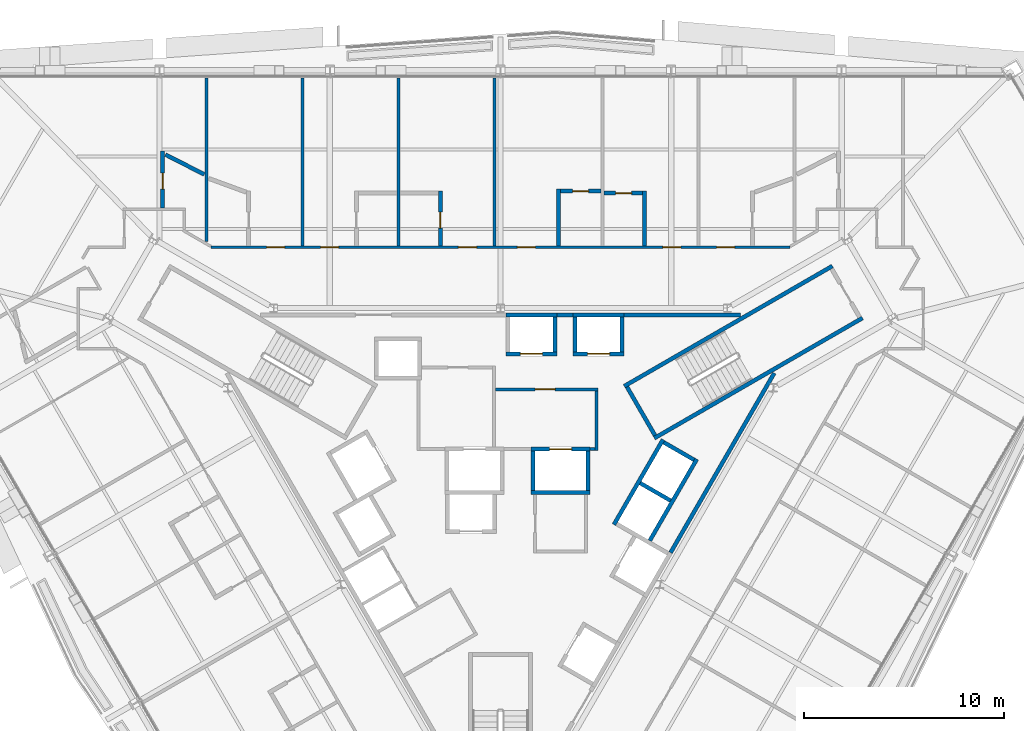
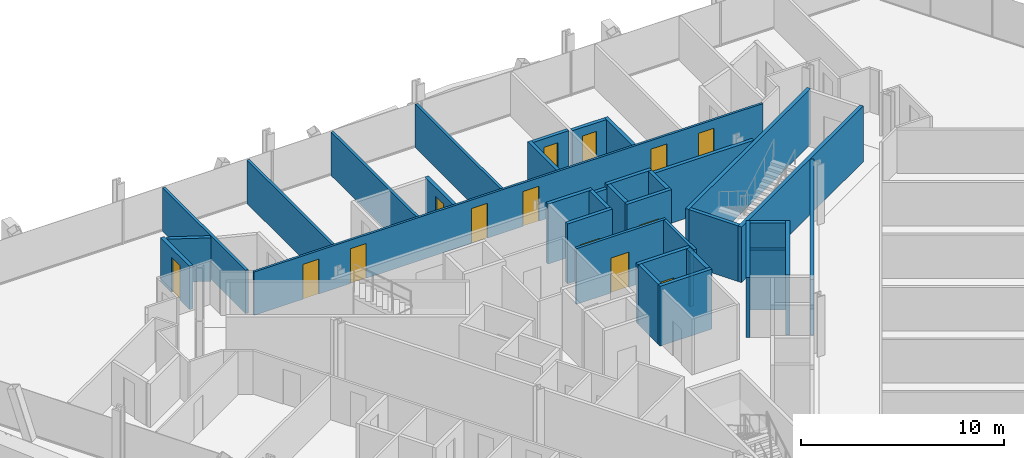
# One storey, part 14 of 17: 36 walls, 14 doors, 14 openings.
"""IFC4 building model written with IfcOpenShell, lengths in metres."""

from ifc_helpers import new_model, si_unit, direction, frame, frame_2d, origin, place, context, subcontext, project, spatial, rectangle, extrude, material, layer, layer_set, type_object, element, fill, save


model = new_model("IFC4")

# Units and contexts
model_context = context("Model", 3, precision=1e-05, world=origin(), true_north=direction((0.0, 1.0)))
body_context = subcontext(model_context, "Body", "Model", "MODEL_VIEW")
ifc_project = project(units=[si_unit("LENGTHUNIT", "METRE"), si_unit("AREAUNIT", "SQUARE_METRE"), si_unit("VOLUMEUNIT", "CUBIC_METRE"), si_unit("PLANEANGLEUNIT", "RADIAN"), si_unit("MASSUNIT", "GRAM", prefix="KILO")], contexts=[model_context])

# Site, building, storey
site_placement = place(None, origin())
site = spatial("IfcSite", under=ifc_project, at=site_placement, CompositionType="ELEMENT")
building_placement = place(site_placement, origin())
building = spatial("IfcBuilding", under=site, at=building_placement, Name="Verrane Prism Tower", CompositionType="ELEMENT")
storey_placement = place(building_placement, frame((0.0, 0.0, 51.199951171875)))
storey = spatial("IfcBuildingStorey", under=building, at=storey_placement, Name="L10", CompositionType="ELEMENT", Elevation=51.199951171875)

# Walls
ifc_material_1 = material(Name="Gypsum board partition", Category="other")
ifc_layer_1 = layer(ifc_material_1, 0.199951171875)
ifc_layer_set_1 = layer_set([ifc_layer_1], Name="CW-200 core boundary wall 2 h")
wall_type_1 = type_object("IfcWallType", Name="CW-200 core boundary wall 2 h", PredefinedType="PARTITIONING", material=ifc_layer_set_1)
wall_1_placement = place(storey_placement, frame((2.81689453125, 8.860107421875, 0.0), z_axis=(0.0, 0.0, 1.0), x_axis=(1.0, 0.0, 0.0)))
element("IfcWall", 1, at=wall_1_placement, inside=storey, type_object=wall_type_1, Name="Core boundary wall CW3-004", PredefinedType="PARTITIONING", context=body_context, shape_type="SweptSolid", body=[
    extrude(rectangle(XDim=0.80615234375, YDim=0.199951171875, at=frame_2d((0.403076171875, 0.0))), origin(), (0.0, 0.0, 1.0), 3.35009765625),
])
wall_2_placement = place(storey_placement, frame((6.177001953125, 8.860107421875, 0.0), z_axis=(0.0, 0.0, 1.0), x_axis=(1.0, 0.0, 0.0)))
element("IfcWall", 2, at=wall_2_placement, inside=storey, type_object=wall_type_1, Name="Core boundary wall CW3-006", PredefinedType="PARTITIONING", context=body_context, shape_type="SweptSolid", body=[
    extrude(rectangle(XDim=5.81396484375, YDim=0.199951171875, at=frame_2d((2.906982421875, 0.0))), origin(), (0.0, 0.0, 1.0), 3.35009765625),
])
wall_3_placement = place(storey_placement, frame((8.491943359375, -3.011962890625, 0.0), z_axis=(0.0, 0.0, 1.0), x_axis=(0.499972957231, 0.866041016371, 0.0)))
element("IfcWall", 3, at=wall_3_placement, inside=storey, type_object=wall_type_1, Name="Core boundary wall CW3-007", PredefinedType="PARTITIONING", context=body_context, shape_type="SweptSolid", body=[
    extrude(rectangle(XDim=10.3486328125, YDim=0.199951171875, at=frame_2d((5.17431640625, 0.0))), origin(), (0.0, 0.0, 1.0), 3.35009765625),
])
ifc_material_2 = material(Name="Concrete C40/50", Category="concrete")
ifc_layer_2 = layer(ifc_material_2, 0.199951171875)
ifc_layer_set_2 = layer_set([ifc_layer_2], Name="CW-200 stair core wall concrete C40/50 3 h")
wall_type_2 = type_object("IfcWallType", Name="CW-200 stair core wall concrete C40/50 3 h", PredefinedType="PARTITIONING", material=ifc_layer_set_2)
for number, where, z_axis, x_axis, name in (
    (4, (6.17822265625, 5.299072265625, 0.0), (0.0, 0.0, 1.0), (0.866026010844, 0.49999894854, 0.0), "Stair 1 enclosure wall"),
    (5, (7.67822265625, 2.700927734375, 0.0), (0.0, 0.0, 1.0), (0.866026010844, 0.49999894854, 0.0), "Stair 1 enclosure wall"),
):
    element("IfcWall", number, at=place(storey_placement, frame(where, z_axis=z_axis, x_axis=x_axis)), inside=storey, type_object=wall_type_2, Name=name, PredefinedType="PARTITIONING", context=body_context, shape_type="SweptSolid", body=[
        extrude(rectangle(XDim=12.0, YDim=0.199951171875, at=frame_2d((6.0, 0.0))), origin(), (0.0, 0.0, 1.0), 3.35009765625),
    ])
wall_4_placement = place(storey_placement, frame((7.71484375, 2.837646484375, 0.0), z_axis=(0.0, 0.0, 1.0), x_axis=(-0.500049511043, 0.865996816683, 0.0)))
element("IfcWall", 6, at=wall_4_placement, inside=storey, type_object=wall_type_2, Name="Stair 1 enclosure wall", PredefinedType="PARTITIONING", context=body_context, shape_type="SweptSolid", body=[
    extrude(rectangle(XDim=2.800048828125, YDim=0.199951171875, at=frame_2d((1.39990234375, 0.0))), origin(), (0.0, 0.0, 1.0), 3.35009765625),
])
ifc_material_3 = material(Name="Gypsum board shaft wall assembly", Category="other")
ifc_layer_3 = layer(ifc_material_3, 0.199951171875)
ifc_layer_set_3 = layer_set([ifc_layer_3], Name="HW-200 lift shaft wall 2 h")
wall_type_3 = type_object("IfcWallType", Name="HW-200 lift shaft wall 2 h", PredefinedType="PARTITIONING", material=ifc_layer_set_3)
wall_5_placement = place(storey_placement, frame((1.52490234375, 0.0, 0.0), z_axis=(0.0, 0.0, 1.0), x_axis=(1.0, 0.0, 0.0)))
element("IfcWall", 7, at=wall_5_placement, inside=storey, type_object=wall_type_3, Name="Lift shaft wall", PredefinedType="PARTITIONING", context=body_context, shape_type="SweptSolid", body=[
    extrude(rectangle(XDim=2.9501953125, YDim=0.199951171875, at=frame_2d((1.47509765625, 0.0))), origin(), (0.0, 0.0, 1.0), 3.60009765625),
])

# Wall, opening, door
wall_6_placement = place(storey_placement, frame((1.52490234375, 2.14990234375, 0.0), z_axis=(0.0, 0.0, 1.0), x_axis=(1.0, 0.0, 0.0)))
wall_6 = element("IfcWall", 8, at=wall_6_placement, inside=storey, type_object=wall_type_3, Name="Lift shaft wall", PredefinedType="PARTITIONING", context=body_context, shape_type="SweptSolid", body=[
    extrude(rectangle(XDim=2.9501953125, YDim=0.199951171875, at=frame_2d((1.47509765625, 0.0))), origin(), (0.0, 0.0, 1.0), 3.60009765625),
])
opening_1_placement = place(wall_6_placement, frame((0.925048828125, 0.0, 0.0)))
opening_1 = element("IfcOpeningElement", 9, at=opening_1_placement, cuts=wall_6, Name="Opening D09509", PredefinedType="OPENING", context=body_context, shape_type="SweptSolid", body=[
    extrude(rectangle(XDim=1.10009765625, YDim=2.10009765625, at=frame_2d((0.550048828125, 1.050048828125))), frame((0.0, 0.10986328125, 0.0), z_axis=(0.0, -1.0, 0.0), x_axis=(1.0, 0.0, 0.0)), (0.0, 0.0, 1.0), 0.219970703125),
])
ifc_material_4 = material(Name="Stainless steel sliding landing door", Category="steel")
door_type_1 = type_object("IfcDoorType", Name="LD-1100x2100 lift landing door FD90 sliding", OperationType="NOTDEFINED", PredefinedType="DOOR", material=ifc_material_4)
door_1_placement = place(opening_1_placement, origin())
door_1 = element("IfcDoor", 10, at=door_1_placement, inside=storey, type_object=door_type_1, Name="Fire service lift 2 landing door", OperationType="SLIDING_TO_RIGHT", OverallHeight=2.10009765625, OverallWidth=1.10009765625, PredefinedType="DOOR", context=body_context, shape_type="SweptSolid", body=[
    extrude(rectangle(XDim=1.10009765625, YDim=2.10009765625, at=frame_2d((0.550048828125, 1.050048828125))), frame((0.0, 0.02490234375, 0.0), z_axis=(0.0, -1.0, 0.0), x_axis=(1.0, 0.0, 0.0)), (0.0, 0.0, 1.0), 0.050048828125),
])
fill(opening_1, door_1)

wall_7_placement = place(storey_placement, frame((0.264892578125, 6.909912109375, 0.0), z_axis=(0.0, 0.0, 1.0), x_axis=(1.0, 0.0, 0.0)))
wall_7 = element("IfcWall", 11, at=wall_7_placement, inside=storey, type_object=wall_type_3, Name="Lift shaft wall", PredefinedType="PARTITIONING", context=body_context, shape_type="SweptSolid", body=[
    extrude(rectangle(XDim=2.550048828125, YDim=0.199951171875, at=frame_2d((1.27490234375, 0.0))), origin(), (0.0, 0.0, 1.0), 3.60009765625),
])
opening_2_placement = place(wall_7_placement, frame((0.72509765625, 0.0, 0.0)))
opening_2 = element("IfcOpeningElement", 12, at=opening_2_placement, cuts=wall_7, Name="Opening D09503", PredefinedType="OPENING", context=body_context, shape_type="SweptSolid", body=[
    extrude(rectangle(XDim=1.10009765625, YDim=2.10009765625, at=frame_2d((0.550048828125, 1.050048828125))), frame((0.0, 0.10986328125, 0.0), z_axis=(0.0, -1.0, 0.0), x_axis=(1.0, 0.0, 0.0)), (0.0, 0.0, 1.0), 0.219970703125),
])
door_2_placement = place(opening_2_placement, origin())
door_2 = element("IfcDoor", 13, at=door_2_placement, inside=storey, type_object=door_type_1, Name="Bank A lift 1 landing door", OperationType="SLIDING_TO_LEFT", OverallHeight=2.10009765625, OverallWidth=1.10009765625, PredefinedType="DOOR", context=body_context, shape_type="SweptSolid", body=[
    extrude(rectangle(XDim=1.10009765625, YDim=2.10009765625, at=frame_2d((0.550048828125, 1.050048828125))), frame((0.0, 0.02490234375, 0.0), z_axis=(0.0, -1.0, 0.0), x_axis=(1.0, 0.0, 0.0)), (0.0, 0.0, 1.0), 0.050048828125),
])
fill(opening_2, door_2)

wall_8_placement = place(storey_placement, frame((3.625, 6.909912109375, 0.0), z_axis=(0.0, 0.0, 1.0), x_axis=(1.0, 0.0, 0.0)))
wall_8 = element("IfcWall", 14, at=wall_8_placement, inside=storey, type_object=wall_type_3, Name="Lift shaft wall", PredefinedType="PARTITIONING", context=body_context, shape_type="SweptSolid", body=[
    extrude(rectangle(XDim=2.550048828125, YDim=0.199951171875, at=frame_2d((1.27490234375, 0.0))), origin(), (0.0, 0.0, 1.0), 3.60009765625),
])
opening_3_placement = place(wall_8_placement, frame((0.72509765625, 0.0, 0.0)))
opening_3 = element("IfcOpeningElement", 15, at=opening_3_placement, cuts=wall_8, Name="Opening D09505", PredefinedType="OPENING", context=body_context, shape_type="SweptSolid", body=[
    extrude(rectangle(XDim=1.10009765625, YDim=2.10009765625, at=frame_2d((0.550048828125, 1.050048828125))), frame((0.0, 0.10986328125, 0.0), z_axis=(0.0, -1.0, 0.0), x_axis=(1.0, 0.0, 0.0)), (0.0, 0.0, 1.0), 0.219970703125),
])
door_3_placement = place(opening_3_placement, origin())
door_3 = element("IfcDoor", 16, at=door_3_placement, inside=storey, type_object=door_type_1, Name="Bank A lift 3 landing door", OperationType="SLIDING_TO_LEFT", OverallHeight=2.10009765625, OverallWidth=1.10009765625, PredefinedType="DOOR", context=body_context, shape_type="SweptSolid", body=[
    extrude(rectangle(XDim=1.10009765625, YDim=2.10009765625, at=frame_2d((0.550048828125, 1.050048828125))), frame((0.0, 0.02490234375, 0.0), z_axis=(0.0, -1.0, 0.0), x_axis=(1.0, 0.0, 0.0)), (0.0, 0.0, 1.0), 0.050048828125),
])
fill(opening_3, door_3)

# Walls
for number, where, z_axis, x_axis, name in (
    (17, (0.264892578125, 8.860107421875, 0.0), (0.0, 0.0, 1.0), (1.0, 0.0, 0.0), "Lift shaft wall"),
    (18, (3.625, 8.860107421875, 0.0), (0.0, 0.0, 1.0), (1.0, 0.0, 0.0), "Lift shaft wall"),
):
    element("IfcWall", number, at=place(storey_placement, frame(where, z_axis=z_axis, x_axis=x_axis)), inside=storey, type_object=wall_type_3, Name=name, PredefinedType="PARTITIONING", context=body_context, shape_type="SweptSolid", body=[
        extrude(rectangle(XDim=2.550048828125, YDim=0.199951171875, at=frame_2d((1.27490234375, 0.0))), origin(), (0.0, 0.0, 1.0), 3.60009765625),
    ])
wall_9_placement = place(storey_placement, frame((7.451171875, -2.4140625, 0.0), z_axis=(0.0, 0.0, 1.0), x_axis=(0.500016218704, 0.866016039709, 0.0)))
element("IfcWall", 19, at=wall_9_placement, inside=storey, type_object=wall_type_3, Name="Lift shaft wall", PredefinedType="PARTITIONING", context=body_context, shape_type="SweptSolid", body=[
    extrude(rectangle(XDim=4.699951171875, YDim=0.199951171875, at=frame_2d((2.35009765625, 0.0))), origin(), (0.0, 0.0, 1.0), 3.60009765625),
])
wall_10_placement = place(storey_placement, frame((5.66259765625, -1.6123046875, 0.0), z_axis=(0.0, 0.0, 1.0), x_axis=(0.49998122708, 0.866036242063, 0.0)))
element("IfcWall", 20, at=wall_10_placement, inside=storey, type_object=wall_type_3, Name="Lift shaft wall", PredefinedType="PARTITIONING", context=body_context, shape_type="SweptSolid", body=[
    extrude(rectangle(XDim=4.900146484375, YDim=0.199951171875, at=frame_2d((2.4501953125, 0.0))), origin(), (0.0, 0.0, 1.0), 3.60009765625),
])
wall_11_placement = place(storey_placement, frame((6.074951171875, 7.010009765625, 0.0), z_axis=(0.0, 0.0, 1.0), x_axis=(0.0, 1.0, 0.0)))
element("IfcWall", 21, at=wall_11_placement, inside=storey, type_object=wall_type_3, Name="Lift shaft wall", PredefinedType="PARTITIONING", context=body_context, shape_type="SweptSolid", body=[
    extrude(rectangle(XDim=1.75, YDim=0.199951171875, at=frame_2d((0.875, 0.0))), origin(), (0.0, 0.0, 1.0), 3.60009765625),
])
wall_12_placement = place(storey_placement, frame((4.375, 0.10009765625, 0.0), z_axis=(0.0, 0.0, 1.0), x_axis=(0.0, 1.0, 0.0)))
element("IfcWall", 22, at=wall_12_placement, inside=storey, type_object=wall_type_3, Name="Lift shaft wall", PredefinedType="PARTITIONING", context=body_context, shape_type="SweptSolid", body=[
    extrude(rectangle(XDim=1.949951171875, YDim=0.199951171875, at=frame_2d((0.97509765625, 0.0))), origin(), (0.0, 0.0, 1.0), 3.60009765625),
])
for number, where, z_axis, x_axis, name in (
    (23, (3.72509765625, 7.010009765625, 0.0), (0.0, 0.0, 1.0), (0.0, 1.0, 0.0), "Lift shaft wall"),
    (24, (2.715087890625, 7.010009765625, 0.0), (0.0, 0.0, 1.0), (0.0, 1.0, 0.0), "Lift shaft wall"),
):
    element("IfcWall", number, at=place(storey_placement, frame(where, z_axis=z_axis, x_axis=x_axis)), inside=storey, type_object=wall_type_3, Name=name, PredefinedType="PARTITIONING", context=body_context, shape_type="SweptSolid", body=[
        extrude(rectangle(XDim=1.75, YDim=0.199951171875, at=frame_2d((0.875, 0.0))), origin(), (0.0, 0.0, 1.0), 3.60009765625),
    ])
wall_13_placement = place(storey_placement, frame((1.625, 0.10009765625, 0.0), z_axis=(0.0, 0.0, 1.0), x_axis=(0.0, 1.0, 0.0)))
element("IfcWall", 25, at=wall_13_placement, inside=storey, type_object=wall_type_3, Name="Lift shaft wall", PredefinedType="PARTITIONING", context=body_context, shape_type="SweptSolid", body=[
    extrude(rectangle(XDim=1.949951171875, YDim=0.199951171875, at=frame_2d((0.97509765625, 0.0))), origin(), (0.0, 0.0, 1.0), 3.60009765625),
])
wall_14_placement = place(storey_placement, frame((9.66455078125, 1.61962890625, 0.0), z_axis=(0.0, 0.0, 1.0), x_axis=(-0.866002029911, 0.500040482552, 0.0)))
element("IfcWall", 26, at=wall_14_placement, inside=storey, type_object=wall_type_3, Name="Lift shaft wall", PredefinedType="PARTITIONING", context=body_context, shape_type="SweptSolid", body=[
    extrude(rectangle(XDim=1.749755859375, YDim=0.199951171875, at=frame_2d((0.875, 0.0))), origin(), (0.0, 0.0, 1.0), 3.60009765625),
])
wall_15_placement = place(storey_placement, frame((8.48974609375, -0.41552734375, 0.0), z_axis=(0.0, 0.0, 1.0), x_axis=(-0.866036909293, 0.499980071345, 0.0)))
element("IfcWall", 27, at=wall_15_placement, inside=storey, type_object=wall_type_3, Name="Lift shaft wall", PredefinedType="PARTITIONING", context=body_context, shape_type="SweptSolid", body=[
    extrude(rectangle(XDim=1.75, YDim=0.199951171875, at=frame_2d((0.875, 0.0))), origin(), (0.0, 0.0, 1.0), 3.60009765625),
])

# Wall, opening, door
ifc_material_5 = material(Name="Gypsum board partition", Category="other")
ifc_layer_4 = layer(ifc_material_5, 0.14990234375)
ifc_layer_set_4 = layer_set([ifc_layer_4], Name="LF-150 firefighting lobby wall 1 h")
wall_type_4 = type_object("IfcWallType", Name="LF-150 firefighting lobby wall 1 h", PredefinedType="PARTITIONING", material=ifc_layer_set_4)
wall_16_placement = place(storey_placement, frame((-0.2451171875, 5.139892578125, 0.0), z_axis=(0.0, 0.0, 1.0), x_axis=(1.0, 0.0, 0.0)))
wall_16 = element("IfcWall", 28, at=wall_16_placement, inside=storey, type_object=wall_type_4, Name="Firefighting lobby wall LF1-005", PredefinedType="PARTITIONING", context=body_context, shape_type="SweptSolid", body=[
    extrude(rectangle(XDim=5.110107421875, YDim=0.14990234375, at=frame_2d((2.55517578125, 0.0))), origin(), (0.0, 0.0, 1.0), 3.35009765625),
])
opening_4_placement = place(wall_16_placement, frame((1.97509765625, 0.0, 0.0)))
opening_4 = element("IfcOpeningElement", 29, at=opening_4_placement, cuts=wall_16, Name="Opening D09516", PredefinedType="OPENING", context=body_context, shape_type="SweptSolid", body=[
    extrude(rectangle(XDim=1.0, YDim=2.10009765625, at=frame_2d((0.5, 1.050048828125))), frame((0.0, 0.0849609375, 0.0), z_axis=(0.0, -1.0, 0.0), x_axis=(1.0, 0.0, 0.0)), (0.0, 0.0, 1.0), 0.169921875),
])
ifc_material_6 = material(Name="Timber veneered door leaf", Category="wood")
door_type_2 = type_object("IfcDoorType", Name="DR-1000x2100 FD60 single leaf firefighting lobby", OperationType="NOTDEFINED", PredefinedType="DOOR", material=ifc_material_6)
door_4_placement = place(opening_4_placement, origin())
door_4 = element("IfcDoor", 30, at=door_4_placement, inside=storey, type_object=door_type_2, Name="Firefighting lobby door D09516", OperationType="SINGLE_SWING_RIGHT", OverallHeight=2.10009765625, OverallWidth=1.0, PredefinedType="DOOR", context=body_context, shape_type="SweptSolid", body=[
    extrude(rectangle(XDim=1.0, YDim=2.10009765625, at=frame_2d((0.5, 1.050048828125))), frame((0.0, 0.02490234375, 0.0), z_axis=(0.0, -1.0, 0.0), x_axis=(1.0, 0.0, 0.0)), (0.0, 0.0, 1.0), 0.050048828125),
])
fill(opening_4, door_4)

# Walls
wall_17_placement = place(storey_placement, frame((4.47705078125, 2.159912109375, 0.0), z_axis=(0.0, 0.0, 1.0), x_axis=(1.0, 0.0, 0.0)))
element("IfcWall", 31, at=wall_17_placement, inside=storey, type_object=wall_type_4, Name="Firefighting lobby wall LF1-007", PredefinedType="PARTITIONING", context=body_context, shape_type="SweptSolid", body=[
    extrude(rectangle(XDim=0.238037109375, YDim=0.14990234375, at=frame_2d((0.119140625, 0.0))), origin(), (0.0, 0.0, 1.0), 3.35009765625),
])
wall_18_placement = place(storey_placement, frame((4.7900390625, 2.0849609375, 0.0), z_axis=(0.0, 0.0, 1.0), x_axis=(0.0, 1.0, 0.0)))
element("IfcWall", 32, at=wall_18_placement, inside=storey, type_object=wall_type_4, Name="Firefighting lobby wall LF1-008", PredefinedType="PARTITIONING", context=body_context, shape_type="SweptSolid", body=[
    extrude(rectangle(XDim=2.97998046875, YDim=0.14990234375, at=frame_2d((1.489990234375, 0.0))), origin(), (0.0, 0.0, 1.0), 3.35009765625),
])

# Wall, openings, doors
ifc_material_7 = material(Name="Gypsum board partition", Category="other")
ifc_layer_5 = layer(ifc_material_7, 0.125)
ifc_layer_set_5 = layer_set([ifc_layer_5], Name="PW-125 corridor wall 1 h")
wall_type_5 = type_object("IfcWallType", Name="PW-125 corridor wall 1 h", PredefinedType="PARTITIONING", material=ifc_layer_set_5)
wall_19_placement = place(storey_placement, frame((-14.464599609375, 12.240966796875, 0.0), z_axis=(0.0, 0.0, 1.0), x_axis=(1.0, 0.0, 0.0)))
wall_19 = element("IfcWall", 33, at=wall_19_placement, inside=storey, type_object=wall_type_5, Name="Corridor wall 028", PredefinedType="PARTITIONING", context=body_context, shape_type="SweptSolid", body=[
    extrude(rectangle(XDim=28.92919921875, YDim=0.125, at=frame_2d((14.464599609375, 0.0))), origin(), (0.0, 0.0, 1.0), 2.613037109375),
])
opening_5_placement = place(wall_19_placement, frame((25.25244140625, 0.0, 0.0)))
opening_5 = element("IfcOpeningElement", 34, at=opening_5_placement, cuts=wall_19, Name="Opening D09012", PredefinedType="OPENING", context=body_context, shape_type="SweptSolid", body=[
    extrude(rectangle(XDim=0.89990234375, YDim=2.10009765625, at=frame_2d((0.449951171875, 1.050048828125))), frame((0.0, 0.072509765625, 0.0), z_axis=(0.0, -1.0, 0.0), x_axis=(1.0, 0.0, 0.0)), (0.0, 0.0, 1.0), 0.14501953125),
])
opening_6_placement = place(wall_19_placement, frame((22.564453125, 0.0, 0.0)))
opening_6 = element("IfcOpeningElement", 35, at=opening_6_placement, cuts=wall_19, Name="Opening D09014", PredefinedType="OPENING", context=body_context, shape_type="SweptSolid", body=[
    extrude(rectangle(XDim=0.89990234375, YDim=2.10009765625, at=frame_2d((0.449951171875, 1.050048828125))), frame((0.0, 0.072509765625, 0.0), z_axis=(0.0, -1.0, 0.0), x_axis=(1.0, 0.0, 0.0)), (0.0, 0.0, 1.0), 0.14501953125),
])
opening_7_placement = place(wall_19_placement, frame((15.302490234375, 0.0, 0.0)))
opening_7 = element("IfcOpeningElement", 36, at=opening_7_placement, cuts=wall_19, Name="Opening D09016", PredefinedType="OPENING", context=body_context, shape_type="SweptSolid", body=[
    extrude(rectangle(XDim=0.89990234375, YDim=2.10009765625, at=frame_2d((0.449951171875, 1.050048828125))), frame((0.0, 0.072509765625, 0.0), z_axis=(0.0, -1.0, 0.0), x_axis=(1.0, 0.0, 0.0)), (0.0, 0.0, 1.0), 0.14501953125),
])
opening_8_placement = place(wall_19_placement, frame((12.364501953125, 0.0, 0.0)))
opening_8 = element("IfcOpeningElement", 37, at=opening_8_placement, cuts=wall_19, Name="Opening D09018", PredefinedType="OPENING", context=body_context, shape_type="SweptSolid", body=[
    extrude(rectangle(XDim=0.89990234375, YDim=2.10009765625, at=frame_2d((0.449951171875, 1.050048828125))), frame((0.0, 0.072509765625, 0.0), z_axis=(0.0, -1.0, 0.0), x_axis=(1.0, 0.0, 0.0)), (0.0, 0.0, 1.0), 0.14501953125),
])
opening_9_placement = place(wall_19_placement, frame((5.4765625, 0.0, 0.0)))
opening_9 = element("IfcOpeningElement", 38, at=opening_9_placement, cuts=wall_19, Name="Opening D09020", PredefinedType="OPENING", context=body_context, shape_type="SweptSolid", body=[
    extrude(rectangle(XDim=0.89990234375, YDim=2.10009765625, at=frame_2d((0.449951171875, 1.050048828125))), frame((0.0, 0.072509765625, 0.0), z_axis=(0.0, -1.0, 0.0), x_axis=(1.0, 0.0, 0.0)), (0.0, 0.0, 1.0), 0.14501953125),
])
opening_10_placement = place(wall_19_placement, frame((2.78857421875, 0.0, 0.0)))
opening_10 = element("IfcOpeningElement", 39, at=opening_10_placement, cuts=wall_19, Name="Opening D09022", PredefinedType="OPENING", context=body_context, shape_type="SweptSolid", body=[
    extrude(rectangle(XDim=0.89990234375, YDim=2.10009765625, at=frame_2d((0.449951171875, 1.050048828125))), frame((0.0, 0.072509765625, 0.0), z_axis=(0.0, -1.0, 0.0), x_axis=(1.0, 0.0, 0.0)), (0.0, 0.0, 1.0), 0.14501953125),
])
ifc_material_8 = material(Name="Timber veneered door leaf", Category="wood")
door_type_3 = type_object("IfcDoorType", Name="DR-900x2100 FD20 single leaf unit", OperationType="NOTDEFINED", PredefinedType="DOOR", material=ifc_material_8)
door_5_placement = place(opening_5_placement, origin())
door_5 = element("IfcDoor", 40, at=door_5_placement, inside=storey, type_object=door_type_3, Name="Guest Room door", OperationType="SINGLE_SWING_RIGHT", OverallHeight=2.10009765625, OverallWidth=0.89990234375, PredefinedType="DOOR", context=body_context, shape_type="SweptSolid", body=[
    extrude(rectangle(XDim=0.89990234375, YDim=2.10009765625, at=frame_2d((0.449951171875, 1.050048828125))), frame((0.0, 0.02490234375, 0.0), z_axis=(0.0, -1.0, 0.0), x_axis=(1.0, 0.0, 0.0)), (0.0, 0.0, 1.0), 0.050048828125),
])
fill(opening_5, door_5)
door_6_placement = place(opening_6_placement, origin())
door_6 = element("IfcDoor", 41, at=door_6_placement, inside=storey, type_object=door_type_3, Name="Guest Room door", OperationType="SINGLE_SWING_RIGHT", OverallHeight=2.10009765625, OverallWidth=0.89990234375, PredefinedType="DOOR", context=body_context, shape_type="SweptSolid", body=[
    extrude(rectangle(XDim=0.89990234375, YDim=2.10009765625, at=frame_2d((0.449951171875, 1.050048828125))), frame((0.0, 0.02490234375, 0.0), z_axis=(0.0, -1.0, 0.0), x_axis=(1.0, 0.0, 0.0)), (0.0, 0.0, 1.0), 0.050048828125),
])
fill(opening_6, door_6)
door_7_placement = place(opening_7_placement, origin())
door_7 = element("IfcDoor", 42, at=door_7_placement, inside=storey, type_object=door_type_3, Name="Guest Room door", OperationType="SINGLE_SWING_RIGHT", OverallHeight=2.10009765625, OverallWidth=0.89990234375, PredefinedType="DOOR", context=body_context, shape_type="SweptSolid", body=[
    extrude(rectangle(XDim=0.89990234375, YDim=2.10009765625, at=frame_2d((0.449951171875, 1.050048828125))), frame((0.0, 0.02490234375, 0.0), z_axis=(0.0, -1.0, 0.0), x_axis=(1.0, 0.0, 0.0)), (0.0, 0.0, 1.0), 0.050048828125),
])
fill(opening_7, door_7)
door_8_placement = place(opening_8_placement, origin())
door_8 = element("IfcDoor", 43, at=door_8_placement, inside=storey, type_object=door_type_3, Name="Guest Room door", OperationType="SINGLE_SWING_RIGHT", OverallHeight=2.10009765625, OverallWidth=0.89990234375, PredefinedType="DOOR", context=body_context, shape_type="SweptSolid", body=[
    extrude(rectangle(XDim=0.89990234375, YDim=2.10009765625, at=frame_2d((0.449951171875, 1.050048828125))), frame((0.0, 0.02490234375, 0.0), z_axis=(0.0, -1.0, 0.0), x_axis=(1.0, 0.0, 0.0)), (0.0, 0.0, 1.0), 0.050048828125),
])
fill(opening_8, door_8)
door_9_placement = place(opening_9_placement, origin())
door_9 = element("IfcDoor", 44, at=door_9_placement, inside=storey, type_object=door_type_3, Name="Guest Room door", OperationType="SINGLE_SWING_RIGHT", OverallHeight=2.10009765625, OverallWidth=0.89990234375, PredefinedType="DOOR", context=body_context, shape_type="SweptSolid", body=[
    extrude(rectangle(XDim=0.89990234375, YDim=2.10009765625, at=frame_2d((0.449951171875, 1.050048828125))), frame((0.0, 0.02490234375, 0.0), z_axis=(0.0, -1.0, 0.0), x_axis=(1.0, 0.0, 0.0)), (0.0, 0.0, 1.0), 0.050048828125),
])
fill(opening_9, door_9)
door_10_placement = place(opening_10_placement, origin())
door_10 = element("IfcDoor", 45, at=door_10_placement, inside=storey, type_object=door_type_3, Name="Guest Room door", OperationType="SINGLE_SWING_RIGHT", OverallHeight=2.10009765625, OverallWidth=0.89990234375, PredefinedType="DOOR", context=body_context, shape_type="SweptSolid", body=[
    extrude(rectangle(XDim=0.89990234375, YDim=2.10009765625, at=frame_2d((0.449951171875, 1.050048828125))), frame((0.0, 0.02490234375, 0.0), z_axis=(0.0, -1.0, 0.0), x_axis=(1.0, 0.0, 0.0)), (0.0, 0.0, 1.0), 0.050048828125),
])
fill(opening_10, door_10)

# Walls
ifc_material_9 = material(Name="Gypsum board partition", Category="other")
ifc_layer_6 = layer(ifc_material_9, 0.14990234375)
ifc_layer_set_6 = layer_set([ifc_layer_6], Name="PW-150 demising wall 1 h")
wall_type_6 = type_object("IfcWallType", Name="PW-150 demising wall 1 h", PredefinedType="PARTITIONING", material=ifc_layer_set_6)
wall_20_placement = place(storey_placement, frame((-14.676025390625, 12.514404296875, 0.0), z_axis=(0.0, 0.0, 1.0), x_axis=(0.0, 1.0, 0.0)))
element("IfcWall", 46, at=wall_20_placement, inside=storey, type_object=wall_type_6, Name="Demising wall 026", PredefinedType="PARTITIONING", context=body_context, shape_type="SweptSolid", body=[
    extrude(rectangle(XDim=8.1806640625, YDim=0.14990234375, at=frame_2d((4.09033203125, 0.0))), origin(), (0.0, 0.0, 1.0), 2.613037109375),
])
for number, where, z_axis, x_axis, name in (
    (47, (-9.887939453125, 12.303466796875, 0.0), (0.0, 0.0, 1.0), (0.0, 1.0, 0.0), "Demising wall 036"),
    (48, (-5.10009765625, 12.303466796875, 0.0), (0.0, 0.0, 1.0), (0.0, 1.0, 0.0), "Demising wall 044"),
    (49, (-0.31201171875, 12.303466796875, 0.0), (0.0, 0.0, 1.0), (0.0, 1.0, 0.0), "Demising wall 051"),
):
    element("IfcWall", number, at=place(storey_placement, frame(where, z_axis=z_axis, x_axis=x_axis)), inside=storey, type_object=wall_type_6, Name=name, PredefinedType="PARTITIONING", context=body_context, shape_type="SweptSolid", body=[
        extrude(rectangle(XDim=8.3916015625, YDim=0.14990234375, at=frame_2d((4.19580078125, 0.0))), origin(), (0.0, 0.0, 1.0), 2.613037109375),
    ])

# Wall, opening, door
ifc_material_10 = material(Name="Gypsum board partition", Category="other")
ifc_layer_7 = layer(ifc_material_10, 0.199951171875)
ifc_layer_set_7 = layer_set([ifc_layer_7], Name="PW-200 plumbing wall")
wall_type_7 = type_object("IfcWallType", Name="PW-200 plumbing wall", PredefinedType="PARTITIONING", material=ifc_layer_set_7)
wall_21_placement = place(storey_placement, frame((-16.8759765625, 17.037109375, 0.0), z_axis=(0.0, 0.0, 1.0), x_axis=(0.0, -1.0, 0.0)))
wall_21 = element("IfcWall", 50, at=wall_21_placement, inside=storey, type_object=wall_type_7, Name="Plumbing wall 018", PredefinedType="PARTITIONING", context=body_context, shape_type="SweptSolid", body=[
    extrude(rectangle(XDim=2.837646484375, YDim=0.199951171875, at=frame_2d((1.4189453125, 0.0))), origin(), (0.0, 0.0, 1.0), 2.613037109375),
])
opening_11_placement = place(wall_21_placement, frame((1.10009765625, 0.0, 0.0)))
opening_11 = element("IfcOpeningElement", 51, at=opening_11_placement, cuts=wall_21, Name="Opening D09025", PredefinedType="OPENING", context=body_context, shape_type="SweptSolid", body=[
    extrude(rectangle(XDim=0.800048828125, YDim=2.10009765625, at=frame_2d((0.39990234375, 1.050048828125))), frame((0.0, 0.10986328125, 0.0), z_axis=(0.0, -1.0, 0.0), x_axis=(1.0, 0.0, 0.0)), (0.0, 0.0, 1.0), 0.219970703125),
])
ifc_material_11 = material(Name="Timber veneered door leaf", Category="wood")
door_type_4 = type_object("IfcDoorType", Name="DR-800x2100 single leaf bath", OperationType="NOTDEFINED", PredefinedType="DOOR", material=ifc_material_11)
door_11_placement = place(opening_11_placement, origin())
door_11 = element("IfcDoor", 52, at=door_11_placement, inside=storey, type_object=door_type_4, Name="En-Suite door", OperationType="SINGLE_SWING_RIGHT", OverallHeight=2.10009765625, OverallWidth=0.800048828125, PredefinedType="DOOR", context=body_context, shape_type="SweptSolid", body=[
    extrude(rectangle(XDim=0.800048828125, YDim=2.10009765625, at=frame_2d((0.39990234375, 1.050048828125))), frame((0.0, 0.02490234375, 0.0), z_axis=(0.0, -1.0, 0.0), x_axis=(1.0, 0.0, 0.0)), (0.0, 0.0, 1.0), 0.050048828125),
])
fill(opening_11, door_11)

# Wall
wall_22_placement = place(storey_placement, frame((-16.72900390625, 16.86181640625, 0.0), z_axis=(0.0, 0.0, 1.0), x_axis=(0.890181338078, -0.455606392995, 0.0)))
element("IfcWall", 53, at=wall_22_placement, inside=storey, type_object=wall_type_7, Name="Plumbing wall 019", PredefinedType="PARTITIONING", context=body_context, shape_type="SweptSolid", body=[
    extrude(rectangle(XDim=2.170654296875, YDim=0.199951171875, at=frame_2d((1.08544921875, 0.0))), origin(), (0.0, 0.0, 1.0), 2.613037109375),
])

# Wall, opening, door
wall_23_placement = place(storey_placement, frame((-3.0, 12.303466796875, 0.0), z_axis=(0.0, 0.0, 1.0), x_axis=(0.0, 1.0, 0.0)))
wall_23 = element("IfcWall", 54, at=wall_23_placement, inside=storey, type_object=wall_type_7, Name="Plumbing wall 048", PredefinedType="PARTITIONING", context=body_context, shape_type="SweptSolid", body=[
    extrude(rectangle(XDim=2.737548828125, YDim=0.199951171875, at=frame_2d((1.36865234375, 0.0))), origin(), (0.0, 0.0, 1.0), 2.613037109375),
])
opening_12_placement = place(wall_23_placement, frame((0.887451171875, 0.0, 0.0)))
opening_12 = element("IfcOpeningElement", 55, at=opening_12_placement, cuts=wall_23, Name="Opening D09019", PredefinedType="OPENING", context=body_context, shape_type="SweptSolid", body=[
    extrude(rectangle(XDim=0.800048828125, YDim=2.10009765625, at=frame_2d((0.39990234375, 1.050048828125))), frame((0.0, 0.10986328125, 0.0), z_axis=(0.0, -1.0, 0.0), x_axis=(1.0, 0.0, 0.0)), (0.0, 0.0, 1.0), 0.219970703125),
])
door_12_placement = place(opening_12_placement, origin())
door_12 = element("IfcDoor", 56, at=door_12_placement, inside=storey, type_object=door_type_4, Name="En-Suite door", OperationType="SINGLE_SWING_LEFT", OverallHeight=2.10009765625, OverallWidth=0.800048828125, PredefinedType="DOOR", context=body_context, shape_type="SweptSolid", body=[
    extrude(rectangle(XDim=0.800048828125, YDim=2.10009765625, at=frame_2d((0.39990234375, 1.050048828125))), frame((0.0, 0.02490234375, 0.0), z_axis=(0.0, -1.0, 0.0), x_axis=(1.0, 0.0, 0.0)), (0.0, 0.0, 1.0), 0.050048828125),
])
fill(opening_12, door_12)

# Wall
wall_24_placement = place(storey_placement, frame((2.89990234375, 12.303466796875, 0.0), z_axis=(0.0, 0.0, 1.0), x_axis=(0.0, 1.0, 0.0)))
element("IfcWall", 57, at=wall_24_placement, inside=storey, type_object=wall_type_7, Name="Plumbing wall 055", PredefinedType="PARTITIONING", context=body_context, shape_type="SweptSolid", body=[
    extrude(rectangle(XDim=2.837646484375, YDim=0.199951171875, at=frame_2d((1.4189453125, 0.0))), origin(), (0.0, 0.0, 1.0), 2.613037109375),
])

# Wall, opening, door
wall_25_placement = place(storey_placement, frame((5.02490234375, 15.041015625, 0.0), z_axis=(0.0, 0.0, 1.0), x_axis=(-1.0, 0.0, 0.0)))
wall_25 = element("IfcWall", 58, at=wall_25_placement, inside=storey, type_object=wall_type_7, Name="Plumbing wall 056", PredefinedType="PARTITIONING", context=body_context, shape_type="SweptSolid", body=[
    extrude(rectangle(XDim=2.02490234375, YDim=0.199951171875, at=frame_2d((1.012451171875, 0.0))), origin(), (0.0, 0.0, 1.0), 2.613037109375),
])
opening_13_placement = place(wall_25_placement, frame((0.625, 0.0, 0.0)))
opening_13 = element("IfcOpeningElement", 59, at=opening_13_placement, cuts=wall_25, Name="Opening D09017", PredefinedType="OPENING", context=body_context, shape_type="SweptSolid", body=[
    extrude(rectangle(XDim=0.800048828125, YDim=2.10009765625, at=frame_2d((0.39990234375, 1.050048828125))), frame((0.0, 0.10986328125, 0.0), z_axis=(0.0, -1.0, 0.0), x_axis=(1.0, 0.0, 0.0)), (0.0, 0.0, 1.0), 0.219970703125),
])
door_13_placement = place(opening_13_placement, origin())
door_13 = element("IfcDoor", 60, at=door_13_placement, inside=storey, type_object=door_type_4, Name="En-Suite door", OperationType="SINGLE_SWING_RIGHT", OverallHeight=2.10009765625, OverallWidth=0.800048828125, PredefinedType="DOOR", context=body_context, shape_type="SweptSolid", body=[
    extrude(rectangle(XDim=0.800048828125, YDim=2.10009765625, at=frame_2d((0.39990234375, 1.050048828125))), frame((0.0, 0.02490234375, 0.0), z_axis=(0.0, -1.0, 0.0), x_axis=(1.0, 0.0, 0.0)), (0.0, 0.0, 1.0), 0.050048828125),
])
fill(opening_13, door_13)

wall_26_placement = place(storey_placement, frame((7.10009765625, 14.94091796875, 0.0), z_axis=(0.0, 0.0, 1.0), x_axis=(-1.0, 0.0, 0.0)))
wall_26 = element("IfcWall", 61, at=wall_26_placement, inside=storey, type_object=wall_type_7, Name="Plumbing wall 062", PredefinedType="PARTITIONING", context=body_context, shape_type="SweptSolid", body=[
    extrude(rectangle(XDim=1.925048828125, YDim=0.199951171875, at=frame_2d((0.96240234375, 0.0))), origin(), (0.0, 0.0, 1.0), 2.613037109375),
])
opening_14_placement = place(wall_26_placement, frame((0.550048828125, 0.0, 0.0)))
opening_14 = element("IfcOpeningElement", 62, at=opening_14_placement, cuts=wall_26, Name="Opening D09015", PredefinedType="OPENING", context=body_context, shape_type="SweptSolid", body=[
    extrude(rectangle(XDim=0.800048828125, YDim=2.10009765625, at=frame_2d((0.39990234375, 1.050048828125))), frame((0.0, 0.10986328125, 0.0), z_axis=(0.0, -1.0, 0.0), x_axis=(1.0, 0.0, 0.0)), (0.0, 0.0, 1.0), 0.219970703125),
])
door_14_placement = place(opening_14_placement, origin())
door_14 = element("IfcDoor", 63, at=door_14_placement, inside=storey, type_object=door_type_4, Name="En-Suite door", OperationType="SINGLE_SWING_RIGHT", OverallHeight=2.10009765625, OverallWidth=0.800048828125, PredefinedType="DOOR", context=body_context, shape_type="SweptSolid", body=[
    extrude(rectangle(XDim=0.800048828125, YDim=2.10009765625, at=frame_2d((0.39990234375, 1.050048828125))), frame((0.0, 0.02490234375, 0.0), z_axis=(0.0, -1.0, 0.0), x_axis=(1.0, 0.0, 0.0)), (0.0, 0.0, 1.0), 0.050048828125),
])
fill(opening_14, door_14)

# Wall
wall_27_placement = place(storey_placement, frame((7.199951171875, 12.303466796875, 0.0), z_axis=(0.0, 0.0, 1.0), x_axis=(0.0, 1.0, 0.0)))
element("IfcWall", 64, at=wall_27_placement, inside=storey, type_object=wall_type_7, Name="Plumbing wall 064", PredefinedType="PARTITIONING", context=body_context, shape_type="SweptSolid", body=[
    extrude(rectangle(XDim=2.737548828125, YDim=0.199951171875, at=frame_2d((1.36865234375, 0.0))), origin(), (0.0, 0.0, 1.0), 2.613037109375),
])

save(model, "model.ifc")
